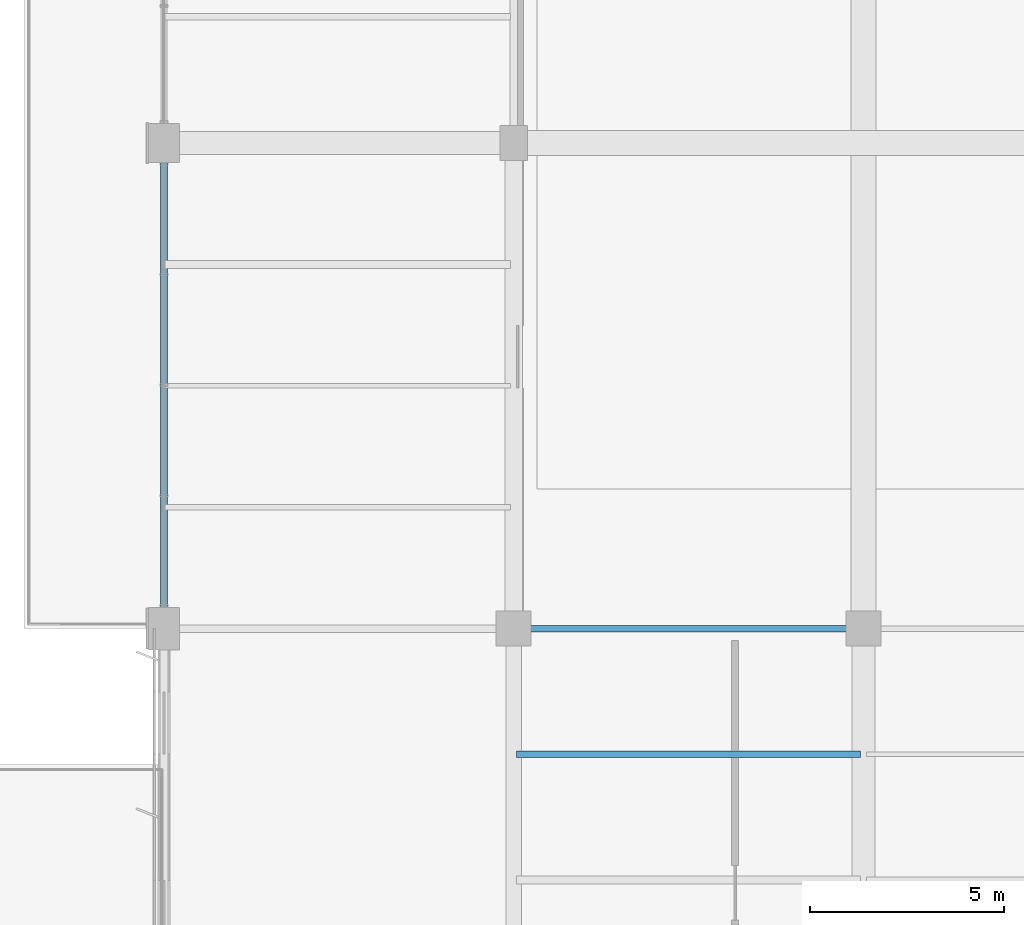
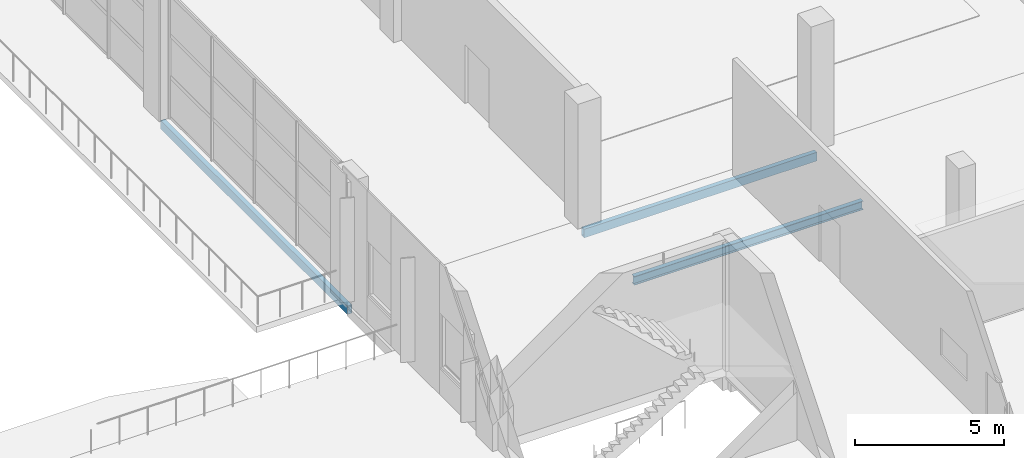
# One storey, part 40 of 90: 3 beams.
"""IFC4 building model written with IfcOpenShell, lengths in metres."""

import ifcopenshell
import ifcopenshell.guid

model = None  # the IFC model being written
_history = None  # IfcOwnerHistory: only IFC2X3 demands one
_inside = {}  # id of a spatial element -> (the spatial element, [elements in it])
_under = {}  # id of a project, library or spatial element -> (it, [spatial elements below it])
_declared = {}  # id of a project -> (the project, [libraries it declares])
_typed = {}  # id of a type object -> (the type object, [elements of that type])
_made_of = {}  # id of a material, layer set ... -> (it, [elements and type objects made of it])


def new_model(schema):
    """Start an empty IFC model of exactly this schema.

    Asked for "IFC4X3", IfcOpenShell would pick the latest addendum, in which some entities
    have other attributes; the version numbers below select the first issue.
    IFC2X3 requires an IfcOwnerHistory on every rooted entity: one is made here for all.
    """
    global model, _history
    if schema == "IFC4X3":
        model = ifcopenshell.file(schema_version=(4, 3, 0, 0))
    else:
        model = ifcopenshell.file(schema=schema)
    _inside.clear()
    _under.clear()
    _declared.clear()
    _typed.clear()
    _made_of.clear()
    _history = None
    if model.schema == "IFC2X3":
        org = make("IfcOrganization", Name="unknown")
        user = make(
            "IfcPersonAndOrganization",
            ThePerson=make("IfcPerson", FamilyName="unknown"),
            TheOrganization=org,
        )
        app = make(
            "IfcApplication",
            ApplicationDeveloper=org,
            Version="unknown",
            ApplicationFullName="unknown",
            ApplicationIdentifier="unknown",
        )
        _history = make(
            "IfcOwnerHistory",
            OwningUser=user,
            OwningApplication=app,
            ChangeAction="ADDED",
            CreationDate=0,
        )
    return model


def make(cls, **values):
    """One entity of the class cls with the attributes given. An attribute that is None is left unset."""
    return model.create_entity(
        cls, **{name: value for name, value in values.items() if value is not None}
    )


def rooted(cls, **values):
    """An entity with a GlobalId (a new one), such as an element, a storey or a relation."""
    return make(cls, GlobalId=ifcopenshell.guid.new(), OwnerHistory=_history, **values)


def si_unit(unit_type, name, prefix=None):
    """IfcSIUnit, for example si_unit("LENGTHUNIT", "METRE", prefix="MILLI")."""
    return make("IfcSIUnit", UnitType=unit_type, Prefix=prefix, Name=name)


def assignment(units):
    """IfcUnitAssignment: the units of a project."""
    return None if units is None else make("IfcUnitAssignment", Units=units)


def point(xyz):
    """IfcCartesianPoint."""
    return None if xyz is None else make("IfcCartesianPoint", Coordinates=xyz)


def direction(xyz):
    """IfcDirection."""
    return None if xyz is None else make("IfcDirection", DirectionRatios=xyz)


def frame(location, z_axis=None, x_axis=None):
    """IfcAxis2Placement3D, a coordinate frame: its origin and axes. An axis left out is left unset."""
    return make(
        "IfcAxis2Placement3D",
        Location=point(location),
        Axis=direction(z_axis),
        RefDirection=direction(x_axis),
    )


def frame_2d(location, x_axis=None):
    """IfcAxis2Placement2D, a coordinate frame in the plane: its origin and x axis."""
    return make(
        "IfcAxis2Placement2D", Location=point(location), RefDirection=direction(x_axis)
    )


def origin():
    """The frame at (0, 0, 0) with its axes left unset."""
    return frame((0.0, 0.0, 0.0))


def origin_2d():
    """The frame at (0, 0) in the plane with its x axis left unset."""
    return frame_2d((0.0, 0.0))


def place(relative_to, where):
    """IfcLocalPlacement: puts the frame where relative to a parent placement (None: the world)."""
    return make(
        "IfcLocalPlacement", PlacementRelTo=relative_to, RelativePlacement=where
    )


def context(
    kind, dimensions, precision=None, world=None, true_north=None, identifier=None
):
    """IfcGeometricRepresentationContext, for example the 3D "Model" context."""
    return make(
        "IfcGeometricRepresentationContext",
        ContextIdentifier=identifier,
        ContextType=kind,
        CoordinateSpaceDimension=dimensions,
        Precision=precision,
        WorldCoordinateSystem=world,
        TrueNorth=true_north,
    )


def subcontext(parent, identifier, kind, view, scale=None):
    """IfcGeometricRepresentationSubContext, for example "Body" below "Model"."""
    return make(
        "IfcGeometricRepresentationSubContext",
        ContextIdentifier=identifier,
        ContextType=kind,
        ParentContext=parent,
        TargetScale=scale,
        TargetView=view,
    )


def project(units=None, contexts=None):
    """IfcProject with its units and contexts."""
    return rooted(
        "IfcProject",
        Name="project",
        RepresentationContexts=contexts,
        UnitsInContext=assignment(units),
    )


def spatial(cls, under=None, at=None, **own):
    """A site, building, storey or space (cls), placed at a placement, below another one or the project."""
    s = rooted(cls, ObjectPlacement=at, **own)
    if under is not None:
        _under.setdefault(under.id(), (under, []))[1].append(s)
    return s


def profile(cls, at=None, kind="AREA", **sizes):
    """A parametric profile (cls). Its sizes go by their IFC names, for example OverallWidth=200.0."""
    return make(cls, ProfileType=kind, Position=at, **sizes)


def hollow_rectangle(**sizes):
    """IfcRectangleHollowProfileDef."""
    return profile("IfcRectangleHollowProfileDef", **sizes)


def i_section(**sizes):
    """IfcIShapeProfileDef."""
    return profile("IfcIShapeProfileDef", **sizes)


def extrude(swept, where, along, depth):
    """IfcExtrudedAreaSolid: the profile swept, set in the frame where, extruded along a direction by depth."""
    return make(
        "IfcExtrudedAreaSolid",
        SweptArea=swept,
        Position=where,
        ExtrudedDirection=direction(along),
        Depth=depth,
    )


def shape(context_of_items, identifier, shape_type, items):
    """IfcShapeRepresentation: the items that make up one representation, for example the "Body"."""
    return make(
        "IfcShapeRepresentation",
        ContextOfItems=context_of_items,
        RepresentationIdentifier=identifier,
        RepresentationType=shape_type,
        Items=items,
    )


def material(Name=None, Category=None):
    """IfcMaterial."""
    return make("IfcMaterial", Name=Name, Category=Category)


def material_profile(
    of_material, cross_section, Name=None, Category=None, Priority=None
):
    """IfcMaterialProfile: a cross section and its material."""
    return make(
        "IfcMaterialProfile",
        Name=Name,
        Material=of_material,
        Profile=cross_section,
        Priority=Priority,
        Category=Category,
    )


def profile_set(profiles, Name=None, composite=None):
    """IfcMaterialProfileSet."""
    return make(
        "IfcMaterialProfileSet",
        Name=Name,
        MaterialProfiles=profiles,
        CompositeProfile=composite,
    )


def made_of(thing, what):
    """Note that an element or type object is made of a material, layer set ...; save() writes the relation."""
    if what is not None:
        _made_of.setdefault(what.id(), (what, []))[1].append(thing)
    return thing


def type_object(cls, material=None, **own):
    """A type object (cls), such as IfcWallType, which elements share."""
    return made_of(rooted(cls, **own), material)


def element(
    cls,
    number,
    at=None,
    inside=None,
    cuts=None,
    type_object=None,
    material=None,
    context=None,
    identifier="Body",
    shape_type=None,
    held_by="IfcProductDefinitionShape",
    body=None,
    shapes=None,
    **own,
):
    """One element of the class cls, such as IfcWall. Its Tag is "e" and its number.

    at: its placement. inside: the storey or other place that contains it. cuts: it is an
    opening in that element (IfcRelVoidsElement). A single representation is given by context,
    identifier, shape_type and body (its items); several are given by shapes. held_by: the class
    of the entity that holds the representations. save() writes the other relations.
    """
    e = rooted(cls, Tag="e%d" % number, ObjectPlacement=at, **own)
    if body is not None:
        shapes = [shape(context, identifier, shape_type, body)]
    if shapes is not None:
        e.Representation = make(held_by, Representations=shapes)
    if inside is not None:
        _inside.setdefault(inside.id(), (inside, []))[1].append(e)
    if cuts is not None:
        rooted(
            "IfcRelVoidsElement", RelatingBuildingElement=cuts, RelatedOpeningElement=e
        )
    if type_object is not None:
        _typed.setdefault(type_object.id(), (type_object, []))[1].append(e)
    return made_of(e, material)


def aggregate(whole, parts):
    """IfcRelAggregates: a whole, such as a stair, and the parts it consists of."""
    return rooted("IfcRelAggregates", RelatingObject=whole, RelatedObjects=parts)


def save(model, path):
    """Write the relations noted so far, then the file.

    IfcRelAggregates (storeys below a building ...), IfcRelContainedInSpatialStructure (elements
    in a storey), IfcRelDefinesByType, IfcRelAssociatesMaterial and IfcRelDeclares: one each for
    every whole, place, type object, material and project.
    """
    for whole, parts in _under.values():
        aggregate(whole, parts)
    for where, things in _inside.values():
        rooted(
            "IfcRelContainedInSpatialStructure",
            RelatedElements=things,
            RelatingStructure=where,
        )
    for kind, things in _typed.values():
        rooted("IfcRelDefinesByType", RelatedObjects=things, RelatingType=kind)
    for what, things in _made_of.values():
        rooted("IfcRelAssociatesMaterial", RelatedObjects=things, RelatingMaterial=what)
    for by, libraries in _declared.values():
        rooted("IfcRelDeclares", RelatingContext=by, RelatedDefinitions=libraries)
    model.write(path)


model = new_model("IFC4")

# Units and contexts
model_context = context("Model", 3, precision=1e-05, world=origin(), true_north=direction((0.0, 1.0)))
body_context = subcontext(model_context, "Body", "Model", "MODEL_VIEW")
ifc_project = project(units=[si_unit("LENGTHUNIT", "METRE"), si_unit("AREAUNIT", "SQUARE_METRE"), si_unit("VOLUMEUNIT", "CUBIC_METRE"), si_unit("PLANEANGLEUNIT", "RADIAN"), si_unit("MASSUNIT", "GRAM", prefix="KILO")], contexts=[model_context])

# Site, building, storey
site_placement = place(None, origin())
site = spatial("IfcSite", under=ifc_project, at=site_placement, CompositionType="ELEMENT")
building_placement = place(site_placement, origin())
building = spatial("IfcBuilding", under=site, at=building_placement, Name="Solvikara Media Centre", CompositionType="ELEMENT")
storey_placement = place(building_placement, origin())
storey = spatial("IfcBuildingStorey", under=building, at=storey_placement, Name="L00", CompositionType="ELEMENT", Elevation=0.0)

# Beams
ifc_material = material(Name="Steel S355JR", Category="steel")
ifc_material_profile_1 = material_profile(ifc_material, i_section(OverallWidth=0.175048828125, OverallDepth=0.35009765625, WebThickness=0.007080078125, FlangeThickness=0.010986328125, at=origin_2d()), Name="WF 350x175x7x11")
ifc_profile_set_1 = profile_set([ifc_material_profile_1], Name="Steel S355JR")
beam_type_1 = type_object("IfcBeamType", Name="BM-22", PredefinedType="JOIST", material=ifc_profile_set_1)
beam_1_placement = place(storey_placement, frame((136.577880859375, 43.26708984375, -0.556884765625), z_axis=(1.0, 0.0, 0.0), x_axis=(0.0, 1.0, 0.0)))
element("IfcBeam", 1, at=beam_1_placement, inside=storey, type_object=beam_type_1, Name="J-L00-0402", PredefinedType="JOIST", context=body_context, shape_type="SweptSolid", body=[
    extrude(i_section(OverallWidth=0.175048828125, OverallDepth=0.35009765625, WebThickness=0.007080078125, FlangeThickness=0.010986328125, at=origin_2d()), origin(), (0.0, 0.0, 1.0), 8.84423828125),
])
ifc_material_profile_2 = material_profile(ifc_material, hollow_rectangle(XDim=0.175048828125, YDim=0.35009765625, WallThickness=0.010009765625, at=origin_2d()), Name="RHS 350x175x10")
ifc_profile_set_2 = profile_set([ifc_material_profile_2], Name="Steel S355JR")
beam_type_2 = type_object("IfcBeamType", Name="BM-34", PredefinedType="SPANDREL", material=ifc_profile_set_2)
beam_2_placement = place(storey_placement, frame((136.5, 46.5, -0.556884765625), z_axis=(1.0, 0.0, 0.0), x_axis=(0.0, 1.0, 0.0)))
element("IfcBeam", 2, at=beam_2_placement, inside=storey, type_object=beam_type_2, Name="B-L00-X0064", PredefinedType="SPANDREL", context=body_context, shape_type="SweptSolid", body=[
    extrude(hollow_rectangle(XDim=0.175048828125, YDim=0.35009765625, WallThickness=0.010009765625, at=origin_2d()), origin(), (0.0, 0.0, 1.0), 9.0),
])
beam_3_placement = place(storey_placement, frame((127.5, 46.5, -0.556884765625), z_axis=(0.0, 1.0, 0.0), x_axis=(-1.0, 0.0, 0.0)))
element("IfcBeam", 3, at=beam_3_placement, inside=storey, type_object=beam_type_2, Name="B-L00-Y0196", PredefinedType="SPANDREL", context=body_context, shape_type="SweptSolid", body=[
    extrude(hollow_rectangle(XDim=0.175048828125, YDim=0.35009765625, WallThickness=0.010009765625, at=origin_2d()), origin(), (0.0, 0.0, 1.0), 12.5),
])

save(model, "model.ifc")
